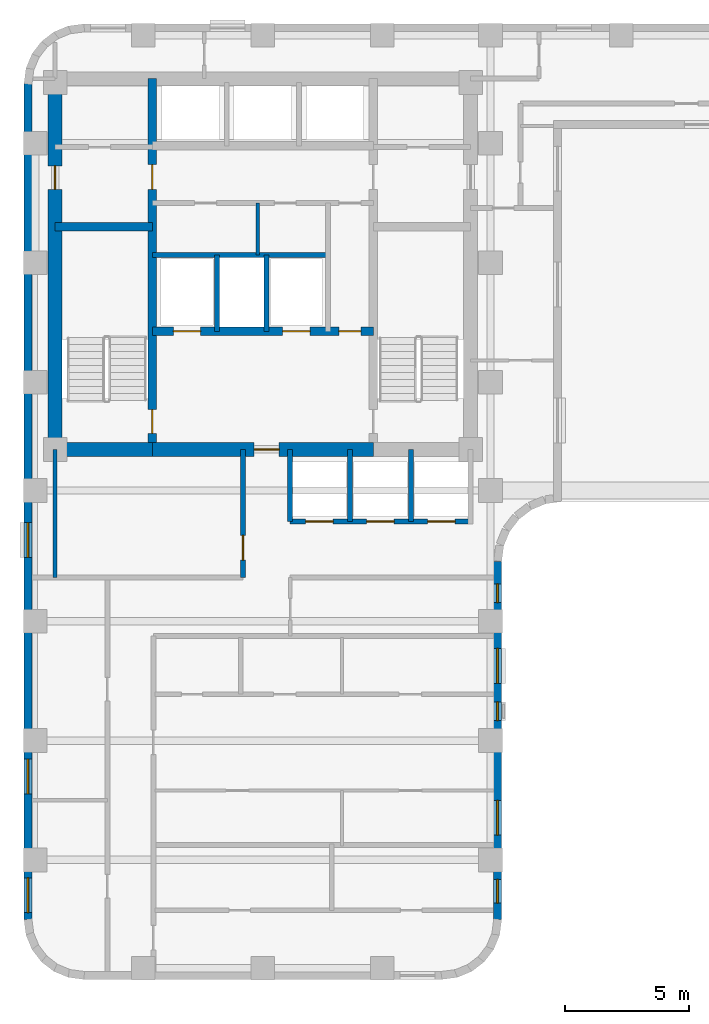
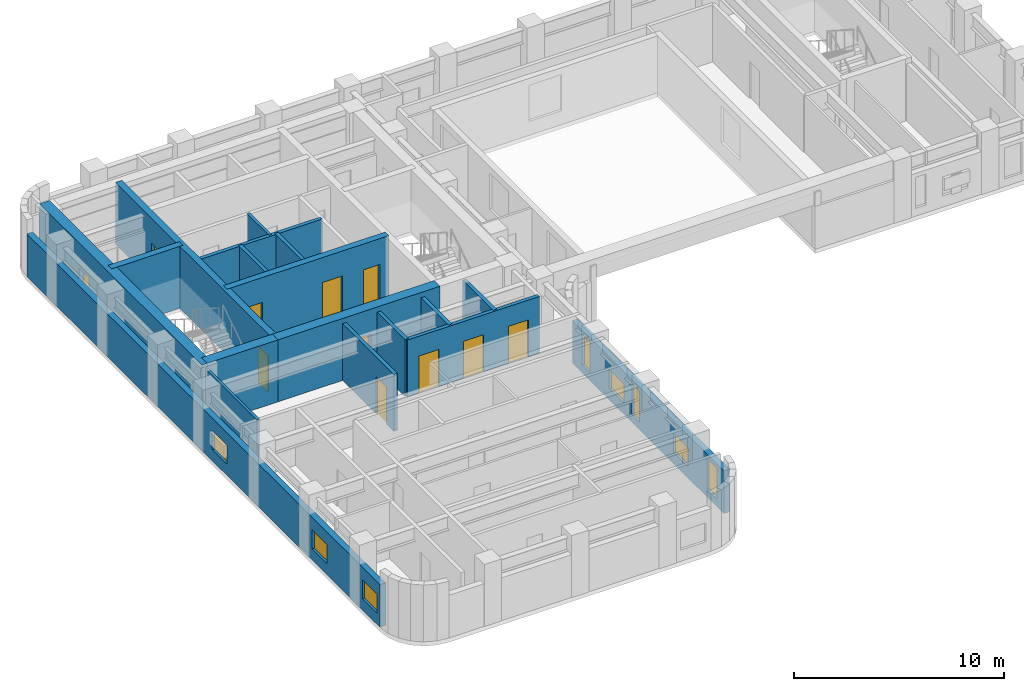
# One storey, part 3 of 9: 18 walls, 11 doors, 8 windows, 19 openings.
"""IFC4 building model written with IfcOpenShell, lengths in metres."""

import ifcopenshell
import ifcopenshell.guid

model = None  # the IFC model being written
_history = None  # IfcOwnerHistory: only IFC2X3 demands one
_inside = {}  # id of a spatial element -> (the spatial element, [elements in it])
_under = {}  # id of a project, library or spatial element -> (it, [spatial elements below it])
_declared = {}  # id of a project -> (the project, [libraries it declares])
_typed = {}  # id of a type object -> (the type object, [elements of that type])
_made_of = {}  # id of a material, layer set ... -> (it, [elements and type objects made of it])


def new_model(schema):
    """Start an empty IFC model of exactly this schema.

    Asked for "IFC4X3", IfcOpenShell would pick the latest addendum, in which some entities
    have other attributes; the version numbers below select the first issue.
    IFC2X3 requires an IfcOwnerHistory on every rooted entity: one is made here for all.
    """
    global model, _history
    if schema == "IFC4X3":
        model = ifcopenshell.file(schema_version=(4, 3, 0, 0))
    else:
        model = ifcopenshell.file(schema=schema)
    _inside.clear()
    _under.clear()
    _declared.clear()
    _typed.clear()
    _made_of.clear()
    _history = None
    if model.schema == "IFC2X3":
        org = make("IfcOrganization", Name="unknown")
        user = make(
            "IfcPersonAndOrganization",
            ThePerson=make("IfcPerson", FamilyName="unknown"),
            TheOrganization=org,
        )
        app = make(
            "IfcApplication",
            ApplicationDeveloper=org,
            Version="unknown",
            ApplicationFullName="unknown",
            ApplicationIdentifier="unknown",
        )
        _history = make(
            "IfcOwnerHistory",
            OwningUser=user,
            OwningApplication=app,
            ChangeAction="ADDED",
            CreationDate=0,
        )
    return model


def make(cls, **values):
    """One entity of the class cls with the attributes given. An attribute that is None is left unset."""
    return model.create_entity(
        cls, **{name: value for name, value in values.items() if value is not None}
    )


def rooted(cls, **values):
    """An entity with a GlobalId (a new one), such as an element, a storey or a relation."""
    return make(cls, GlobalId=ifcopenshell.guid.new(), OwnerHistory=_history, **values)


def si_unit(unit_type, name, prefix=None):
    """IfcSIUnit, for example si_unit("LENGTHUNIT", "METRE", prefix="MILLI")."""
    return make("IfcSIUnit", UnitType=unit_type, Prefix=prefix, Name=name)


def assignment(units):
    """IfcUnitAssignment: the units of a project."""
    return None if units is None else make("IfcUnitAssignment", Units=units)


def point(xyz):
    """IfcCartesianPoint."""
    return None if xyz is None else make("IfcCartesianPoint", Coordinates=xyz)


def direction(xyz):
    """IfcDirection."""
    return None if xyz is None else make("IfcDirection", DirectionRatios=xyz)


def frame(location, z_axis=None, x_axis=None):
    """IfcAxis2Placement3D, a coordinate frame: its origin and axes. An axis left out is left unset."""
    return make(
        "IfcAxis2Placement3D",
        Location=point(location),
        Axis=direction(z_axis),
        RefDirection=direction(x_axis),
    )


def frame_2d(location, x_axis=None):
    """IfcAxis2Placement2D, a coordinate frame in the plane: its origin and x axis."""
    return make(
        "IfcAxis2Placement2D", Location=point(location), RefDirection=direction(x_axis)
    )


def origin():
    """The frame at (0, 0, 0) with its axes left unset."""
    return frame((0.0, 0.0, 0.0))


def place(relative_to, where):
    """IfcLocalPlacement: puts the frame where relative to a parent placement (None: the world)."""
    return make(
        "IfcLocalPlacement", PlacementRelTo=relative_to, RelativePlacement=where
    )


def context(
    kind, dimensions, precision=None, world=None, true_north=None, identifier=None
):
    """IfcGeometricRepresentationContext, for example the 3D "Model" context."""
    return make(
        "IfcGeometricRepresentationContext",
        ContextIdentifier=identifier,
        ContextType=kind,
        CoordinateSpaceDimension=dimensions,
        Precision=precision,
        WorldCoordinateSystem=world,
        TrueNorth=true_north,
    )


def subcontext(parent, identifier, kind, view, scale=None):
    """IfcGeometricRepresentationSubContext, for example "Body" below "Model"."""
    return make(
        "IfcGeometricRepresentationSubContext",
        ContextIdentifier=identifier,
        ContextType=kind,
        ParentContext=parent,
        TargetScale=scale,
        TargetView=view,
    )


def project(units=None, contexts=None):
    """IfcProject with its units and contexts."""
    return rooted(
        "IfcProject",
        Name="project",
        RepresentationContexts=contexts,
        UnitsInContext=assignment(units),
    )


def spatial(cls, under=None, at=None, **own):
    """A site, building, storey or space (cls), placed at a placement, below another one or the project."""
    s = rooted(cls, ObjectPlacement=at, **own)
    if under is not None:
        _under.setdefault(under.id(), (under, []))[1].append(s)
    return s


def profile(cls, at=None, kind="AREA", **sizes):
    """A parametric profile (cls). Its sizes go by their IFC names, for example OverallWidth=200.0."""
    return make(cls, ProfileType=kind, Position=at, **sizes)


def rectangle(**sizes):
    """IfcRectangleProfileDef."""
    return profile("IfcRectangleProfileDef", **sizes)


def extrude(swept, where, along, depth):
    """IfcExtrudedAreaSolid: the profile swept, set in the frame where, extruded along a direction by depth."""
    return make(
        "IfcExtrudedAreaSolid",
        SweptArea=swept,
        Position=where,
        ExtrudedDirection=direction(along),
        Depth=depth,
    )


def shape(context_of_items, identifier, shape_type, items):
    """IfcShapeRepresentation: the items that make up one representation, for example the "Body"."""
    return make(
        "IfcShapeRepresentation",
        ContextOfItems=context_of_items,
        RepresentationIdentifier=identifier,
        RepresentationType=shape_type,
        Items=items,
    )


def material(Name=None, Category=None):
    """IfcMaterial."""
    return make("IfcMaterial", Name=Name, Category=Category)


def layer(
    of_material, thickness, ventilated=None, Name=None, Category=None, Priority=None
):
    """IfcMaterialLayer: one layer of a wall or slab, of a material (None: an air gap)."""
    return make(
        "IfcMaterialLayer",
        Material=of_material,
        LayerThickness=thickness,
        IsVentilated=ventilated,
        Name=Name,
        Category=Category,
        Priority=Priority,
    )


def layer_set(layers, Name=None):
    """IfcMaterialLayerSet."""
    return make("IfcMaterialLayerSet", MaterialLayers=layers, LayerSetName=Name)


def made_of(thing, what):
    """Note that an element or type object is made of a material, layer set ...; save() writes the relation."""
    if what is not None:
        _made_of.setdefault(what.id(), (what, []))[1].append(thing)
    return thing


def type_object(cls, material=None, **own):
    """A type object (cls), such as IfcWallType, which elements share."""
    return made_of(rooted(cls, **own), material)


def element(
    cls,
    number,
    at=None,
    inside=None,
    cuts=None,
    type_object=None,
    material=None,
    context=None,
    identifier="Body",
    shape_type=None,
    held_by="IfcProductDefinitionShape",
    body=None,
    shapes=None,
    **own,
):
    """One element of the class cls, such as IfcWall. Its Tag is "e" and its number.

    at: its placement. inside: the storey or other place that contains it. cuts: it is an
    opening in that element (IfcRelVoidsElement). A single representation is given by context,
    identifier, shape_type and body (its items); several are given by shapes. held_by: the class
    of the entity that holds the representations. save() writes the other relations.
    """
    e = rooted(cls, Tag="e%d" % number, ObjectPlacement=at, **own)
    if body is not None:
        shapes = [shape(context, identifier, shape_type, body)]
    if shapes is not None:
        e.Representation = make(held_by, Representations=shapes)
    if inside is not None:
        _inside.setdefault(inside.id(), (inside, []))[1].append(e)
    if cuts is not None:
        rooted(
            "IfcRelVoidsElement", RelatingBuildingElement=cuts, RelatedOpeningElement=e
        )
    if type_object is not None:
        _typed.setdefault(type_object.id(), (type_object, []))[1].append(e)
    return made_of(e, material)


def fill(opening, filler):
    """IfcRelFillsElement: the door or window that sits in an opening."""
    return rooted(
        "IfcRelFillsElement",
        RelatingOpeningElement=opening,
        RelatedBuildingElement=filler,
    )


def aggregate(whole, parts):
    """IfcRelAggregates: a whole, such as a stair, and the parts it consists of."""
    return rooted("IfcRelAggregates", RelatingObject=whole, RelatedObjects=parts)


def save(model, path):
    """Write the relations noted so far, then the file.

    IfcRelAggregates (storeys below a building ...), IfcRelContainedInSpatialStructure (elements
    in a storey), IfcRelDefinesByType, IfcRelAssociatesMaterial and IfcRelDeclares: one each for
    every whole, place, type object, material and project.
    """
    for whole, parts in _under.values():
        aggregate(whole, parts)
    for where, things in _inside.values():
        rooted(
            "IfcRelContainedInSpatialStructure",
            RelatedElements=things,
            RelatingStructure=where,
        )
    for kind, things in _typed.values():
        rooted("IfcRelDefinesByType", RelatedObjects=things, RelatingType=kind)
    for what, things in _made_of.values():
        rooted("IfcRelAssociatesMaterial", RelatedObjects=things, RelatingMaterial=what)
    for by, libraries in _declared.values():
        rooted("IfcRelDeclares", RelatingContext=by, RelatedDefinitions=libraries)
    model.write(path)


model = new_model("IFC4")

# Units and contexts
model_context = context("Model", 3, precision=1e-05, world=origin(), true_north=direction((0.0, 1.0)))
body_context = subcontext(model_context, "Body", "Model", "MODEL_VIEW")
ifc_project = project(units=[si_unit("LENGTHUNIT", "METRE"), si_unit("AREAUNIT", "SQUARE_METRE"), si_unit("VOLUMEUNIT", "CUBIC_METRE"), si_unit("PLANEANGLEUNIT", "RADIAN"), si_unit("MASSUNIT", "GRAM", prefix="KILO")], contexts=[model_context])

# Site, building, storey
site_placement = place(None, origin())
site = spatial("IfcSite", under=ifc_project, at=site_placement, CompositionType="ELEMENT")
building_placement = place(site_placement, origin())
building = spatial("IfcBuilding", under=site, at=building_placement, Name="Orvandelia Arch Residences", CompositionType="ELEMENT")
storey_placement = place(building_placement, frame((0.0, 0.0, 190.0)))
storey = spatial("IfcBuildingStorey", under=building, at=storey_placement, Name="L50", CompositionType="ELEMENT", Elevation=190.0)

# Wall, openings, doors
ifc_material_1 = material(Name="Concrete C50/60", Category="concrete")
ifc_layer_1 = layer(ifc_material_1, 0.35009765625, Name="Concrete C50/60", Category="concrete")
ifc_layer_set_1 = layer_set([ifc_layer_1], Name="Concrete C50/60")
wall_type_1 = type_object("IfcWallType", Name="WL-CORE-350", PredefinedType="SHEAR", material=ifc_layer_set_1)
wall_1_placement = place(storey_placement, frame((9.9599609375, 30.89990234375, 0.0), z_axis=(0.0, 0.0, 1.0), x_axis=(0.0, 1.0, 0.0)))
wall_1 = element("IfcWall", 1, at=wall_1_placement, inside=storey, type_object=wall_type_1, Name="Core Shear Wall L50-WEB1", PredefinedType="SHEAR", context=body_context, shape_type="SweptSolid", body=[
    extrude(rectangle(XDim=14.900146484375, YDim=0.35009765625, at=frame_2d((7.4501953125, 0.0))), origin(), (0.0, 0.0, 1.0), 3.60009765625),
])
opening_1_placement = place(wall_1_placement, frame((0.64990234375, 0.0, 0.0)))
opening_1 = element("IfcOpeningElement", 2, at=opening_1_placement, cuts=wall_1, Name="Opening D7", PredefinedType="OPENING", context=body_context, shape_type="SweptSolid", body=[
    extrude(rectangle(XDim=0.949951171875, YDim=2.10009765625, at=frame_2d((0.47509765625, 1.050048828125))), frame((0.0, 0.18505859375, 0.0), z_axis=(0.0, -1.0, 0.0), x_axis=(1.0, 0.0, 0.0)), (0.0, 0.0, 1.0), 0.3701171875),
])
opening_2_placement = place(wall_1_placement, frame((10.449951171875, 0.0, 0.0)))
opening_2 = element("IfcOpeningElement", 3, at=opening_2_placement, cuts=wall_1, Name="Opening D6", PredefinedType="OPENING", context=body_context, shape_type="SweptSolid", body=[
    extrude(rectangle(XDim=1.0, YDim=2.14990234375, at=frame_2d((0.5, 1.074951171875))), frame((0.0, 0.18505859375, 0.0), z_axis=(0.0, -1.0, 0.0), x_axis=(1.0, 0.0, 0.0)), (0.0, 0.0, 1.0), 0.3701171875),
])
ifc_material_2 = material(Name="Smokeproof Painted Steel Fire Door", Category="steel")
door_type_1 = type_object("IfcDoorType", Name="DR-FD60-1000", OperationType="NOTDEFINED", PredefinedType="DOOR", material=ifc_material_2)
door_1_placement = place(opening_2_placement, origin())
door_1 = element("IfcDoor", 4, at=door_1_placement, inside=storey, type_object=door_type_1, Name="High-Rise Lift Hall West Vestibule Door L50", OperationType="SINGLE_SWING_LEFT", OverallHeight=2.14990234375, OverallWidth=1.0, PredefinedType="DOOR", context=body_context, shape_type="SweptSolid", body=[
    extrude(rectangle(XDim=1.0, YDim=2.14990234375, at=frame_2d((0.5, 1.074951171875))), frame((0.0, 0.02490234375, 0.0), z_axis=(0.0, -1.0, 0.0), x_axis=(1.0, 0.0, 0.0)), (0.0, 0.0, 1.0), 0.050048828125),
])
fill(opening_2, door_1)
ifc_material_3 = material(Name="Pressurised Stairwell Fire Door")
door_type_2 = type_object("IfcDoorType", Name="DR-STAIR-950", OperationType="NOTDEFINED", PredefinedType="DOOR", material=ifc_material_3)
door_2_placement = place(opening_1_placement, origin())
door_2 = element("IfcDoor", 5, at=door_2_placement, inside=storey, type_object=door_type_2, Name="Stairwell ST-1 Fire Door L50", OperationType="SINGLE_SWING_LEFT", OverallHeight=2.10009765625, OverallWidth=0.949951171875, PredefinedType="DOOR", context=body_context, shape_type="SweptSolid", body=[
    extrude(rectangle(XDim=0.949951171875, YDim=2.10009765625, at=frame_2d((0.47509765625, 1.050048828125))), frame((0.0, 0.02490234375, 0.0), z_axis=(0.0, -1.0, 0.0), x_axis=(1.0, 0.0, 0.0)), (0.0, 0.0, 1.0), 0.050048828125),
])
fill(opening_1, door_2)

# Wall
wall_2_placement = place(storey_placement, frame((6.050048828125, 39.85009765625, 0.0), z_axis=(0.0, 0.0, 1.0), x_axis=(1.0, 0.0, 0.0)))
element("IfcWall", 6, at=wall_2_placement, inside=storey, type_object=wall_type_1, Name="Core Shear Wall L50-HZ1", PredefinedType="SHEAR", context=body_context, shape_type="SweptSolid", body=[
    extrude(rectangle(XDim=3.909912109375, YDim=0.35009765625, at=frame_2d((1.955078125, 0.0))), origin(), (0.0, 0.0, 1.0), 3.60009765625),
])

# Wall, openings, doors
wall_3_placement = place(storey_placement, frame((9.9599609375, 35.64990234375, 0.0), z_axis=(0.0, 0.0, 1.0), x_axis=(1.0, 0.0, 0.0)))
wall_3 = element("IfcWall", 7, at=wall_3_placement, inside=storey, type_object=wall_type_1, Name="Core Shear Wall L50-HZ3", PredefinedType="SHEAR", context=body_context, shape_type="SweptSolid", body=[
    extrude(rectangle(XDim=8.880126953125, YDim=0.35009765625, at=frame_2d((4.43994140625, 0.0))), origin(), (0.0, 0.0, 1.0), 3.60009765625),
])
opening_3_placement = place(wall_3_placement, frame((0.840087890625, 0.0, 0.0)))
opening_3 = element("IfcOpeningElement", 8, at=opening_3_placement, cuts=wall_3, Name="Opening FLD", PredefinedType="OPENING", context=body_context, shape_type="SweptSolid", body=[
    extrude(rectangle(XDim=1.10009765625, YDim=2.14990234375, at=frame_2d((0.550048828125, 1.074951171875))), frame((0.0, 0.18505859375, 0.0), z_axis=(0.0, -1.0, 0.0), x_axis=(1.0, 0.0, 0.0)), (0.0, 0.0, 1.0), 0.3701171875),
])
opening_4_placement = place(wall_3_placement, frame((5.239990234375, 0.0, 0.0)))
opening_4 = element("IfcOpeningElement", 9, at=opening_4_placement, cuts=wall_3, Name="Opening FLD", PredefinedType="OPENING", context=body_context, shape_type="SweptSolid", body=[
    extrude(rectangle(XDim=1.10009765625, YDim=2.14990234375, at=frame_2d((0.550048828125, 1.074951171875))), frame((0.0, 0.18505859375, 0.0), z_axis=(0.0, -1.0, 0.0), x_axis=(1.0, 0.0, 0.0)), (0.0, 0.0, 1.0), 0.3701171875),
])
opening_5_placement = place(wall_3_placement, frame((7.5, 0.0, 0.0)))
opening_5 = element("IfcOpeningElement", 10, at=opening_5_placement, cuts=wall_3, Name="Opening D5", PredefinedType="OPENING", context=body_context, shape_type="SweptSolid", body=[
    extrude(rectangle(XDim=0.8798828125, YDim=2.10009765625, at=frame_2d((0.43994140625, 1.050048828125))), frame((0.0, 0.18505859375, 0.0), z_axis=(0.0, -1.0, 0.0), x_axis=(1.0, 0.0, 0.0)), (0.0, 0.0, 1.0), 0.3701171875),
])
ifc_material_4 = material(Name="Firefighting Lift Stainless Sliding Door")
door_type_3 = type_object("IfcDoorType", Name="DR-FLFT-1100", OperationType="NOTDEFINED", PredefinedType="DOOR", material=ifc_material_4)
door_3_placement = place(opening_3_placement, origin())
door_3 = element("IfcDoor", 11, at=door_3_placement, inside=storey, type_object=door_type_3, Name="Firefighting Lift Landing Door FLD-FL1-L50", OperationType="SLIDING_TO_LEFT", OverallHeight=2.14990234375, OverallWidth=1.10009765625, PredefinedType="DOOR", context=body_context, shape_type="SweptSolid", body=[
    extrude(rectangle(XDim=1.10009765625, YDim=2.14990234375, at=frame_2d((0.550048828125, 1.074951171875))), frame((0.0, 0.02490234375, 0.0), z_axis=(0.0, -1.0, 0.0), x_axis=(1.0, 0.0, 0.0)), (0.0, 0.0, 1.0), 0.050048828125),
])
fill(opening_3, door_3)
door_4_placement = place(opening_4_placement, origin())
door_4 = element("IfcDoor", 12, at=door_4_placement, inside=storey, type_object=door_type_3, Name="Firefighting Lift Landing Door FLD-FL2-L50", OperationType="SLIDING_TO_RIGHT", OverallHeight=2.14990234375, OverallWidth=1.10009765625, PredefinedType="DOOR", context=body_context, shape_type="SweptSolid", body=[
    extrude(rectangle(XDim=1.10009765625, YDim=2.14990234375, at=frame_2d((0.550048828125, 1.074951171875))), frame((0.0, 0.02490234375, 0.0), z_axis=(0.0, -1.0, 0.0), x_axis=(1.0, 0.0, 0.0)), (0.0, 0.0, 1.0), 0.050048828125),
])
fill(opening_4, door_4)
ifc_material_5 = material(Name="Painted Galvanised Steel Service Door", Category="steel")
door_type_4 = type_object("IfcDoorType", Name="DR-SRV-880", OperationType="NOTDEFINED", PredefinedType="DOOR", material=ifc_material_5)
door_5_placement = place(opening_5_placement, origin())
door_5 = element("IfcDoor", 13, at=door_5_placement, inside=storey, type_object=door_type_4, Name="Core Stairway Passage South Fire Door L50", OperationType="SINGLE_SWING_LEFT", OverallHeight=2.10009765625, OverallWidth=0.8798828125, PredefinedType="DOOR", context=body_context, shape_type="SweptSolid", body=[
    extrude(rectangle(XDim=0.8798828125, YDim=2.10009765625, at=frame_2d((0.43994140625, 1.050048828125))), frame((0.0, 0.02490234375, 0.0), z_axis=(0.0, -1.0, 0.0), x_axis=(1.0, 0.0, 0.0)), (0.0, 0.0, 1.0), 0.050048828125),
])
fill(opening_5, door_5)

# Wall, opening, door
ifc_material_6 = material(Name="Concrete C60/75", Category="concrete")
ifc_layer_2 = layer(ifc_material_6, 0.550048828125, Name="Concrete C60/75", Category="concrete")
ifc_layer_set_2 = layer_set([ifc_layer_2], Name="Concrete C60/75")
wall_type_2 = type_object("IfcWallType", Name="WL-CORE-550", PredefinedType="SHEAR", material=ifc_layer_set_2)
wall_4_placement = place(storey_placement, frame((6.050048828125, 30.625, 0.0), z_axis=(0.0, 0.0, 1.0), x_axis=(0.0, 1.0, 0.0)))
wall_4 = element("IfcWall", 14, at=wall_4_placement, inside=storey, type_object=wall_type_2, Name="Core Shear Wall L50-W", PredefinedType="SHEAR", context=body_context, shape_type="SweptSolid", body=[
    extrude(rectangle(XDim=15.449951171875, YDim=0.550048828125, at=frame_2d((7.72509765625, 0.0))), origin(), (0.0, 0.0, 1.0), 3.60009765625),
])
opening_6_placement = place(wall_4_placement, frame((10.72509765625, 0.0, 0.0)))
opening_6 = element("IfcOpeningElement", 15, at=opening_6_placement, cuts=wall_4, Name="Opening D2", PredefinedType="OPENING", context=body_context, shape_type="SweptSolid", body=[
    extrude(rectangle(XDim=0.949951171875, YDim=2.14990234375, at=frame_2d((0.47509765625, 1.074951171875))), frame((0.0, 0.28515625, 0.0), z_axis=(0.0, -1.0, 0.0), x_axis=(1.0, 0.0, 0.0)), (0.0, 0.0, 1.0), 0.570068359375),
])
ifc_material_7 = material(Name="Solid-Core Timber Interior Fire Door", Category="wood")
door_type_5 = type_object("IfcDoorType", Name="DR-APT-950", OperationType="NOTDEFINED", PredefinedType="DOOR", material=ifc_material_7)
door_6_placement = place(opening_6_placement, origin())
door_6 = element("IfcDoor", 16, at=door_6_placement, inside=storey, type_object=door_type_5, Name="West Viewing Study Door L50", OperationType="SINGLE_SWING_RIGHT", OverallHeight=2.14990234375, OverallWidth=0.949951171875, PredefinedType="DOOR", context=body_context, shape_type="SweptSolid", body=[
    extrude(rectangle(XDim=0.949951171875, YDim=2.14990234375, at=frame_2d((0.47509765625, 1.074951171875))), frame((0.0, 0.02490234375, 0.0), z_axis=(0.0, -1.0, 0.0), x_axis=(1.0, 0.0, 0.0)), (0.0, 0.0, 1.0), 0.050048828125),
])
fill(opening_6, door_6)

# Wall
wall_5_placement = place(storey_placement, frame((6.050048828125, 30.89990234375, 0.0), z_axis=(0.0, 0.0, 1.0), x_axis=(1.0, 0.0, 0.0)))
element("IfcWall", 17, at=wall_5_placement, inside=storey, type_object=wall_type_2, Name="Core Shear Wall L50-SW", PredefinedType="SHEAR", context=body_context, shape_type="SweptSolid", body=[
    extrude(rectangle(XDim=3.909912109375, YDim=0.550048828125, at=frame_2d((1.955078125, 0.0))), origin(), (0.0, 0.0, 1.0), 3.60009765625),
])

# Wall, opening, door
wall_6_placement = place(storey_placement, frame((9.9599609375, 30.89990234375, 0.0), z_axis=(0.0, 0.0, 1.0), x_axis=(1.0, 0.0, 0.0)))
wall_6 = element("IfcWall", 18, at=wall_6_placement, inside=storey, type_object=wall_type_2, Name="Core Shear Wall L50-SM", PredefinedType="SHEAR", context=body_context, shape_type="SweptSolid", body=[
    extrude(rectangle(XDim=8.880126953125, YDim=0.550048828125, at=frame_2d((4.43994140625, 0.0))), origin(), (0.0, 0.0, 1.0), 3.60009765625),
])
opening_7_placement = place(wall_6_placement, frame((4.090087890625, 0.0, 0.0)))
opening_7 = element("IfcOpeningElement", 19, at=opening_7_placement, cuts=wall_6, Name="Opening D6", PredefinedType="OPENING", context=body_context, shape_type="SweptSolid", body=[
    extrude(rectangle(XDim=1.0, YDim=2.14990234375, at=frame_2d((0.5, 1.074951171875))), frame((0.0, 0.28515625, 0.0), z_axis=(0.0, -1.0, 0.0), x_axis=(1.0, 0.0, 0.0)), (0.0, 0.0, 1.0), 0.570068359375),
])
door_7_placement = place(opening_7_placement, origin())
door_7 = element("IfcDoor", 20, at=door_7_placement, inside=storey, type_object=door_type_1, Name="Firefighting Lobby Smokeproof Door L50", OperationType="SINGLE_SWING_LEFT", OverallHeight=2.14990234375, OverallWidth=1.0, PredefinedType="DOOR", context=body_context, shape_type="SweptSolid", body=[
    extrude(rectangle(XDim=1.0, YDim=2.14990234375, at=frame_2d((0.5, 1.074951171875))), frame((0.0, 0.02490234375, 0.0), z_axis=(0.0, -1.0, 0.0), x_axis=(1.0, 0.0, 0.0)), (0.0, 0.0, 1.0), 0.050048828125),
])
fill(opening_7, door_7)

# Wall, openings, windows
ifc_material_8 = material(Name="Precast concrete C40/50", Category="concrete")
ifc_layer_3 = layer(ifc_material_8, 0.320068359375, Name="Precast concrete C40/50", Category="concrete")
ifc_layer_set_3 = layer_set([ifc_layer_3], Name="Precast concrete C40/50")
wall_type_3 = type_object("IfcWallType", Name="WL-EXT-STONE-320", PredefinedType="STANDARD", material=ifc_layer_set_3)
wall_7_placement = place(storey_placement, frame((23.840087890625, 26.39990234375, 0.0), z_axis=(0.0, 0.0, 1.0), x_axis=(0.0, -1.0, 0.0)))
wall_7 = element("IfcWall", 21, at=wall_7_placement, inside=storey, type_object=wall_type_3, Name="Coral-Limestone Precast Facade Wall L50-031", PredefinedType="STANDARD", context=body_context, shape_type="SweptSolid", body=[
    extrude(rectangle(XDim=14.39990234375, YDim=0.320068359375, at=frame_2d((7.199951171875, 0.0))), origin(), (0.0, 0.0, 1.0), 2.47998046875),
])
opening_8_placement = place(wall_7_placement, frame((3.5, 0.0, 0.64990234375)))
opening_8 = element("IfcOpeningElement", 22, at=opening_8_placement, cuts=wall_7, Name="Opening W10", PredefinedType="OPENING", context=body_context, shape_type="SweptSolid", body=[
    extrude(rectangle(XDim=1.39990234375, YDim=1.10009765625, at=frame_2d((0.699951171875, 0.550048828125))), frame((0.0, 0.169921875, 0.0), z_axis=(0.0, -1.0, 0.0), x_axis=(1.0, 0.0, 0.0)), (0.0, 0.0, 1.0), 0.340087890625),
])
opening_9_placement = place(wall_7_placement, frame((9.60400390625, 0.0, 0.64990234375)))
opening_9 = element("IfcOpeningElement", 23, at=opening_9_placement, cuts=wall_7, Name="Opening W10", PredefinedType="OPENING", context=body_context, shape_type="SweptSolid", body=[
    extrude(rectangle(XDim=1.39990234375, YDim=1.10009765625, at=frame_2d((0.699951171875, 0.550048828125))), frame((0.0, 0.169921875, 0.0), z_axis=(0.0, -1.0, 0.0), x_axis=(1.0, 0.0, 0.0)), (0.0, 0.0, 1.0), 0.340087890625),
])
opening_10_placement = place(wall_7_placement, frame((12.784423828125, 0.0, 0.449951171875)))
opening_10 = element("IfcOpeningElement", 24, at=opening_10_placement, cuts=wall_7, Name="Opening W4", PredefinedType="OPENING", context=body_context, shape_type="SweptSolid", body=[
    extrude(rectangle(XDim=0.949951171875, YDim=1.800048828125, at=frame_2d((0.47509765625, 0.89990234375))), frame((0.0, 0.169921875, 0.0), z_axis=(0.0, -1.0, 0.0), x_axis=(1.0, 0.0, 0.0)), (0.0, 0.0, 1.0), 0.340087890625),
])
opening_11_placement = place(wall_7_placement, frame((5.6474609375, 0.0, 0.449951171875)))
opening_11 = element("IfcOpeningElement", 25, at=opening_11_placement, cuts=wall_7, Name="Opening W11", PredefinedType="OPENING", context=body_context, shape_type="SweptSolid", body=[
    extrude(rectangle(XDim=0.75, YDim=1.800048828125, at=frame_2d((0.375, 0.89990234375))), frame((0.0, 0.169921875, 0.0), z_axis=(0.0, -1.0, 0.0), x_axis=(1.0, 0.0, 0.0)), (0.0, 0.0, 1.0), 0.340087890625),
])
opening_12_placement = place(wall_7_placement, frame((0.907470703125, 0.0, 0.449951171875)))
opening_12 = element("IfcOpeningElement", 26, at=opening_12_placement, cuts=wall_7, Name="Opening W11", PredefinedType="OPENING", context=body_context, shape_type="SweptSolid", body=[
    extrude(rectangle(XDim=0.75, YDim=1.800048828125, at=frame_2d((0.375, 0.89990234375))), frame((0.0, 0.169921875, 0.0), z_axis=(0.0, -1.0, 0.0), x_axis=(1.0, 0.0, 0.0)), (0.0, 0.0, 1.0), 0.340087890625),
])
ifc_material_9 = material(Name="Tempered Low-E Insulated Glazing", Category="glass")
window_type_1 = type_object("IfcWindowType", Name="WIN-BED-0750x1800", PartitioningType="SINGLE_PANEL", PredefinedType="WINDOW", material=ifc_material_9)
window_1_placement = place(opening_11_placement, origin())
window_1 = element("IfcWindow", 27, at=window_1_placement, inside=storey, type_object=window_type_1, Name="Recessed Punched Window L50-018", OverallHeight=1.800048828125, OverallWidth=0.75, PartitioningType="SINGLE_PANEL", PredefinedType="WINDOW", context=body_context, shape_type="SweptSolid", body=[
    extrude(rectangle(XDim=0.75, YDim=1.800048828125, at=frame_2d((0.375, 0.89990234375))), frame((0.0, 0.030029296875, 0.0), z_axis=(0.0, -1.0, 0.0), x_axis=(1.0, 0.0, 0.0)), (0.0, 0.0, 1.0), 0.06005859375),
])
fill(opening_11, window_1)
window_2_placement = place(opening_12_placement, origin())
window_2 = element("IfcWindow", 28, at=window_2_placement, inside=storey, type_object=window_type_1, Name="Recessed Punched Window L50-019", OverallHeight=1.800048828125, OverallWidth=0.75, PartitioningType="SINGLE_PANEL", PredefinedType="WINDOW", context=body_context, shape_type="SweptSolid", body=[
    extrude(rectangle(XDim=0.75, YDim=1.800048828125, at=frame_2d((0.375, 0.89990234375))), frame((0.0, 0.030029296875, 0.0), z_axis=(0.0, -1.0, 0.0), x_axis=(1.0, 0.0, 0.0)), (0.0, 0.0, 1.0), 0.06005859375),
])
fill(opening_12, window_2)
window_type_2 = type_object("IfcWindowType", Name="WIN-CLR-1400x1100", PartitioningType="SINGLE_PANEL", PredefinedType="WINDOW", material=ifc_material_9)
window_3_placement = place(opening_8_placement, origin())
window_3 = element("IfcWindow", 29, at=window_3_placement, inside=storey, type_object=window_type_2, Name="Recessed Punched Window L50-015", OverallHeight=1.10009765625, OverallWidth=1.39990234375, PartitioningType="SINGLE_PANEL", PredefinedType="WINDOW", context=body_context, shape_type="SweptSolid", body=[
    extrude(rectangle(XDim=1.39990234375, YDim=1.10009765625, at=frame_2d((0.699951171875, 0.550048828125))), frame((0.0, 0.030029296875, 0.0), z_axis=(0.0, -1.0, 0.0), x_axis=(1.0, 0.0, 0.0)), (0.0, 0.0, 1.0), 0.06005859375),
])
fill(opening_8, window_3)
window_4_placement = place(opening_9_placement, origin())
window_4 = element("IfcWindow", 30, at=window_4_placement, inside=storey, type_object=window_type_2, Name="Recessed Punched Window L50-016", OverallHeight=1.10009765625, OverallWidth=1.39990234375, PartitioningType="SINGLE_PANEL", PredefinedType="WINDOW", context=body_context, shape_type="SweptSolid", body=[
    extrude(rectangle(XDim=1.39990234375, YDim=1.10009765625, at=frame_2d((0.699951171875, 0.550048828125))), frame((0.0, 0.030029296875, 0.0), z_axis=(0.0, -1.0, 0.0), x_axis=(1.0, 0.0, 0.0)), (0.0, 0.0, 1.0), 0.06005859375),
])
fill(opening_9, window_4)
window_type_3 = type_object("IfcWindowType", Name="WIN-RES-0950x1800", PartitioningType="SINGLE_PANEL", PredefinedType="WINDOW", material=ifc_material_9)
window_5_placement = place(opening_10_placement, origin())
window_5 = element("IfcWindow", 31, at=window_5_placement, inside=storey, type_object=window_type_3, Name="Recessed Punched Window L50-017", OverallHeight=1.800048828125, OverallWidth=0.949951171875, PartitioningType="SINGLE_PANEL", PredefinedType="WINDOW", context=body_context, shape_type="SweptSolid", body=[
    extrude(rectangle(XDim=0.949951171875, YDim=1.800048828125, at=frame_2d((0.47509765625, 0.89990234375))), frame((0.0, 0.030029296875, 0.0), z_axis=(0.0, -1.0, 0.0), x_axis=(1.0, 0.0, 0.0)), (0.0, 0.0, 1.0), 0.06005859375),
])
fill(opening_10, window_5)

wall_8_placement = place(storey_placement, frame((4.9599609375, 12.0, 0.0), z_axis=(0.0, 0.0, 1.0), x_axis=(0.0, 1.0, 0.0)))
wall_8 = element("IfcWall", 32, at=wall_8_placement, inside=storey, type_object=wall_type_3, Name="Coral-Limestone Precast Facade Wall L50-045", PredefinedType="STANDARD", context=body_context, shape_type="SweptSolid", body=[
    extrude(rectangle(XDim=33.60009765625, YDim=0.320068359375, at=frame_2d((16.800048828125, 0.0))), origin(), (0.0, 0.0, 1.0), 2.47998046875),
])
opening_13_placement = place(wall_8_placement, frame((14.5576171875, 0.0, 0.64990234375)))
opening_13 = element("IfcOpeningElement", 33, at=opening_13_placement, cuts=wall_8, Name="Opening W10", PredefinedType="OPENING", context=body_context, shape_type="SweptSolid", body=[
    extrude(rectangle(XDim=1.39990234375, YDim=1.10009765625, at=frame_2d((0.699951171875, 0.550048828125))), frame((0.0, 0.169921875, 0.0), z_axis=(0.0, -1.0, 0.0), x_axis=(1.0, 0.0, 0.0)), (0.0, 0.0, 1.0), 0.340087890625),
])
opening_14_placement = place(wall_8_placement, frame((0.282470703125, 0.0, 0.64990234375)))
opening_14 = element("IfcOpeningElement", 34, at=opening_14_placement, cuts=wall_8, Name="Opening W10", PredefinedType="OPENING", context=body_context, shape_type="SweptSolid", body=[
    extrude(rectangle(XDim=1.39990234375, YDim=1.10009765625, at=frame_2d((0.699951171875, 0.550048828125))), frame((0.0, 0.169921875, 0.0), z_axis=(0.0, -1.0, 0.0), x_axis=(1.0, 0.0, 0.0)), (0.0, 0.0, 1.0), 0.340087890625),
])
opening_15_placement = place(wall_8_placement, frame((5.052490234375, 0.0, 0.64990234375)))
opening_15 = element("IfcOpeningElement", 35, at=opening_15_placement, cuts=wall_8, Name="Opening W10", PredefinedType="OPENING", context=body_context, shape_type="SweptSolid", body=[
    extrude(rectangle(XDim=1.39990234375, YDim=1.10009765625, at=frame_2d((0.699951171875, 0.550048828125))), frame((0.0, 0.169921875, 0.0), z_axis=(0.0, -1.0, 0.0), x_axis=(1.0, 0.0, 0.0)), (0.0, 0.0, 1.0), 0.340087890625),
])
window_6_placement = place(opening_13_placement, origin())
window_6 = element("IfcWindow", 36, at=window_6_placement, inside=storey, type_object=window_type_2, Name="Recessed Punched Window L50-021", OverallHeight=1.10009765625, OverallWidth=1.39990234375, PartitioningType="SINGLE_PANEL", PredefinedType="WINDOW", context=body_context, shape_type="SweptSolid", body=[
    extrude(rectangle(XDim=1.39990234375, YDim=1.10009765625, at=frame_2d((0.699951171875, 0.550048828125))), frame((0.0, 0.030029296875, 0.0), z_axis=(0.0, -1.0, 0.0), x_axis=(1.0, 0.0, 0.0)), (0.0, 0.0, 1.0), 0.06005859375),
])
fill(opening_13, window_6)
window_7_placement = place(opening_14_placement, origin())
window_7 = element("IfcWindow", 37, at=window_7_placement, inside=storey, type_object=window_type_2, Name="Recessed Punched Window L50-022", OverallHeight=1.10009765625, OverallWidth=1.39990234375, PartitioningType="SINGLE_PANEL", PredefinedType="WINDOW", context=body_context, shape_type="SweptSolid", body=[
    extrude(rectangle(XDim=1.39990234375, YDim=1.10009765625, at=frame_2d((0.699951171875, 0.550048828125))), frame((0.0, 0.030029296875, 0.0), z_axis=(0.0, -1.0, 0.0), x_axis=(1.0, 0.0, 0.0)), (0.0, 0.0, 1.0), 0.06005859375),
])
fill(opening_14, window_7)
window_8_placement = place(opening_15_placement, origin())
window_8 = element("IfcWindow", 38, at=window_8_placement, inside=storey, type_object=window_type_2, Name="Recessed Punched Window L50-023", OverallHeight=1.10009765625, OverallWidth=1.39990234375, PartitioningType="SINGLE_PANEL", PredefinedType="WINDOW", context=body_context, shape_type="SweptSolid", body=[
    extrude(rectangle(XDim=1.39990234375, YDim=1.10009765625, at=frame_2d((0.699951171875, 0.550048828125))), frame((0.0, 0.030029296875, 0.0), z_axis=(0.0, -1.0, 0.0), x_axis=(1.0, 0.0, 0.0)), (0.0, 0.0, 1.0), 0.06005859375),
])
fill(opening_15, window_8)

# Walls
ifc_material_10 = material(Name="Acoustic Gypsum Stud Partition")
ifc_layer_4 = layer(ifc_material_10, 0.14990234375, Name="Acoustic Gypsum Stud Partition")
ifc_layer_set_4 = layer_set([ifc_layer_4], Name="Acoustic Gypsum Stud Partition")
wall_type_4 = type_object("IfcWallType", Name="WL-PART-150", PredefinedType="PARTITIONING", material=ifc_layer_set_4)
wall_9_placement = place(storey_placement, frame((14.199951171875, 38.719970703125, 0.0), z_axis=(0.0, 0.0, 1.0), x_axis=(0.0, 1.0, 0.0)))
element("IfcWall", 39, at=wall_9_placement, inside=storey, type_object=wall_type_4, Name="Interior Partition Wall WL-L50-CSA-1", PredefinedType="PARTITIONING", context=body_context, shape_type="SweptSolid", body=[
    extrude(rectangle(XDim=2.080078125, YDim=0.14990234375, at=frame_2d((1.0400390625, 0.0))), origin(), (0.0, 0.0, 1.0), 3.300048828125),
])
wall_10_placement = place(storey_placement, frame((6.050048828125, 25.75, 0.0), z_axis=(0.0, 0.0, 1.0), x_axis=(0.0, 1.0, 0.0)))
element("IfcWall", 40, at=wall_10_placement, inside=storey, type_object=wall_type_4, Name="Interior Partition Wall WL-L50-B1REUSE-W", PredefinedType="PARTITIONING", context=body_context, shape_type="SweptSolid", body=[
    extrude(rectangle(XDim=5.14990234375, YDim=0.14990234375, at=frame_2d((2.574951171875, 0.0))), origin(), (0.0, 0.0, 1.0), 3.300048828125),
])
ifc_material_11 = material(Name="Fire-Rated Shaft Enclosure Wall")
ifc_layer_5 = layer(ifc_material_11, 0.199951171875, Name="Fire-Rated Shaft Enclosure Wall")
ifc_layer_set_5 = layer_set([ifc_layer_5], Name="Fire-Rated Shaft Enclosure Wall")
wall_type_5 = type_object("IfcWallType", Name="WL-SHAFT-200", PredefinedType="POLYGONAL", material=ifc_layer_set_5)
wall_11_placement = place(storey_placement, frame((9.9599609375, 38.719970703125, 0.0), z_axis=(0.0, 0.0, 1.0), x_axis=(1.0, 0.0, 0.0)))
element("IfcWall", 41, at=wall_11_placement, inside=storey, type_object=wall_type_5, Name="Interior Partition Wall WL-L50-FLN", PredefinedType="POLYGONAL", context=body_context, shape_type="SweptSolid", body=[
    extrude(rectangle(XDim=7.06005859375, YDim=0.199951171875, at=frame_2d((3.530029296875, 0.0))), origin(), (0.0, 0.0, 1.0), 3.300048828125),
])
for number, where, z_axis, x_axis, name in (
    (42, (12.550048828125, 35.64990234375, 0.0), (0.0, 0.0, 1.0), (0.0, 1.0, 0.0), "Interior Partition Wall WL-L50-FLM1"),
    (43, (14.550048828125, 35.64990234375, 0.0), (0.0, 0.0, 1.0), (0.0, 1.0, 0.0), "Interior Partition Wall WL-L50-FLM2"),
):
    element("IfcWall", number, at=place(storey_placement, frame(where, z_axis=z_axis, x_axis=x_axis)), inside=storey, type_object=wall_type_5, Name=name, PredefinedType="POLYGONAL", context=body_context, shape_type="SweptSolid", body=[
        extrude(rectangle(XDim=3.070068359375, YDim=0.199951171875, at=frame_2d((1.53515625, 0.0))), origin(), (0.0, 0.0, 1.0), 3.300048828125),
    ])

# Wall, opening, door
wall_12_placement = place(storey_placement, frame((13.60009765625, 25.75, 0.0), z_axis=(0.0, 0.0, 1.0), x_axis=(0.0, 1.0, 0.0)))
wall_12 = element("IfcWall", 44, at=wall_12_placement, inside=storey, type_object=wall_type_5, Name="Interior Partition Wall WL-L50-B1REUSE-E", PredefinedType="POLYGONAL", context=body_context, shape_type="SweptSolid", body=[
    extrude(rectangle(XDim=5.14990234375, YDim=0.199951171875, at=frame_2d((2.574951171875, 0.0))), origin(), (0.0, 0.0, 1.0), 3.300048828125),
])
opening_16_placement = place(wall_12_placement, frame((0.699951171875, 0.0, 0.0)))
opening_16 = element("IfcOpeningElement", 45, at=opening_16_placement, cuts=wall_12, Name="Opening D6", PredefinedType="OPENING", context=body_context, shape_type="SweptSolid", body=[
    extrude(rectangle(XDim=1.0, YDim=2.14990234375, at=frame_2d((0.5, 1.074951171875))), frame((0.0, 0.10986328125, 0.0), z_axis=(0.0, -1.0, 0.0), x_axis=(1.0, 0.0, 0.0)), (0.0, 0.0, 1.0), 0.219970703125),
])
door_8_placement = place(opening_16_placement, origin())
door_8 = element("IfcDoor", 46, at=door_8_placement, inside=storey, type_object=door_type_1, Name="DR-L50-B1REUSE", OperationType="SINGLE_SWING_LEFT", OverallHeight=2.14990234375, OverallWidth=1.0, PredefinedType="DOOR", context=body_context, shape_type="SweptSolid", body=[
    extrude(rectangle(XDim=1.0, YDim=2.14990234375, at=frame_2d((0.5, 1.074951171875))), frame((0.0, 0.02490234375, 0.0), z_axis=(0.0, -1.0, 0.0), x_axis=(1.0, 0.0, 0.0)), (0.0, 0.0, 1.0), 0.050048828125),
])
fill(opening_16, door_8)

# Wall, openings, doors
wall_13_placement = place(storey_placement, frame((15.5, 28.0, 0.0), z_axis=(0.0, 0.0, 1.0), x_axis=(1.0, 0.0, 0.0)))
wall_13 = element("IfcWall", 47, at=wall_13_placement, inside=storey, type_object=wall_type_5, Name="Interior Partition Wall WL-L50-BNKM-S", PredefinedType="POLYGONAL", context=body_context, shape_type="SweptSolid", body=[
    extrude(rectangle(XDim=7.25, YDim=0.199951171875, at=frame_2d((3.625, 0.0))), origin(), (0.0, 0.0, 1.0), 3.300048828125),
])
opening_17_placement = place(wall_13_placement, frame((0.625, 0.0, 0.0)))
opening_17 = element("IfcOpeningElement", 48, at=opening_17_placement, cuts=wall_13, Name="Opening LD", PredefinedType="OPENING", context=body_context, shape_type="SweptSolid", body=[
    extrude(rectangle(XDim=1.10009765625, YDim=2.14990234375, at=frame_2d((0.550048828125, 1.074951171875))), frame((0.0, 0.10986328125, 0.0), z_axis=(0.0, -1.0, 0.0), x_axis=(1.0, 0.0, 0.0)), (0.0, 0.0, 1.0), 0.219970703125),
])
opening_18_placement = place(wall_13_placement, frame((3.074951171875, 0.0, 0.0)))
opening_18 = element("IfcOpeningElement", 49, at=opening_18_placement, cuts=wall_13, Name="Opening LD", PredefinedType="OPENING", context=body_context, shape_type="SweptSolid", body=[
    extrude(rectangle(XDim=1.10009765625, YDim=2.14990234375, at=frame_2d((0.550048828125, 1.074951171875))), frame((0.0, 0.10986328125, 0.0), z_axis=(0.0, -1.0, 0.0), x_axis=(1.0, 0.0, 0.0)), (0.0, 0.0, 1.0), 0.219970703125),
])
opening_19_placement = place(wall_13_placement, frame((5.52490234375, 0.0, 0.0)))
opening_19 = element("IfcOpeningElement", 50, at=opening_19_placement, cuts=wall_13, Name="Opening LD", PredefinedType="OPENING", context=body_context, shape_type="SweptSolid", body=[
    extrude(rectangle(XDim=1.10009765625, YDim=2.14990234375, at=frame_2d((0.550048828125, 1.074951171875))), frame((0.0, 0.10986328125, 0.0), z_axis=(0.0, -1.0, 0.0), x_axis=(1.0, 0.0, 0.0)), (0.0, 0.0, 1.0), 0.219970703125),
])
ifc_material_12 = material(Name="Brushed Stainless Steel Sliding Lift Door", Category="steel")
door_type_6 = type_object("IfcDoorType", Name="DR-LIFT-1100", OperationType="NOTDEFINED", PredefinedType="DOOR", material=ifc_material_12)
door_9_placement = place(opening_17_placement, origin())
door_9 = element("IfcDoor", 51, at=door_9_placement, inside=storey, type_object=door_type_6, Name="Lift Landing Door LD-PM1", OperationType="SLIDING_TO_LEFT", OverallHeight=2.14990234375, OverallWidth=1.10009765625, PredefinedType="DOOR", context=body_context, shape_type="SweptSolid", body=[
    extrude(rectangle(XDim=1.10009765625, YDim=2.14990234375, at=frame_2d((0.550048828125, 1.074951171875))), frame((0.0, 0.02490234375, 0.0), z_axis=(0.0, -1.0, 0.0), x_axis=(1.0, 0.0, 0.0)), (0.0, 0.0, 1.0), 0.050048828125),
])
fill(opening_17, door_9)
door_10_placement = place(opening_18_placement, origin())
door_10 = element("IfcDoor", 52, at=door_10_placement, inside=storey, type_object=door_type_6, Name="Lift Landing Door LD-PM2", OperationType="SLIDING_TO_RIGHT", OverallHeight=2.14990234375, OverallWidth=1.10009765625, PredefinedType="DOOR", context=body_context, shape_type="SweptSolid", body=[
    extrude(rectangle(XDim=1.10009765625, YDim=2.14990234375, at=frame_2d((0.550048828125, 1.074951171875))), frame((0.0, 0.02490234375, 0.0), z_axis=(0.0, -1.0, 0.0), x_axis=(1.0, 0.0, 0.0)), (0.0, 0.0, 1.0), 0.050048828125),
])
fill(opening_18, door_10)
door_11_placement = place(opening_19_placement, origin())
door_11 = element("IfcDoor", 53, at=door_11_placement, inside=storey, type_object=door_type_6, Name="Lift Landing Door LD-PM3", OperationType="SLIDING_TO_LEFT", OverallHeight=2.14990234375, OverallWidth=1.10009765625, PredefinedType="DOOR", context=body_context, shape_type="SweptSolid", body=[
    extrude(rectangle(XDim=1.10009765625, YDim=2.14990234375, at=frame_2d((0.550048828125, 1.074951171875))), frame((0.0, 0.02490234375, 0.0), z_axis=(0.0, -1.0, 0.0), x_axis=(1.0, 0.0, 0.0)), (0.0, 0.0, 1.0), 0.050048828125),
])
fill(opening_19, door_11)

# Walls
for number, where, z_axis, x_axis, name in (
    (54, (15.5, 28.0, 0.0), (0.0, 0.0, 1.0), (0.0, 1.0, 0.0), "Interior Partition Wall WL-L50-BNKM-W"),
    (55, (17.89990234375, 28.0, 0.0), (0.0, 0.0, 1.0), (0.0, 1.0, 0.0), "Interior Partition Wall WL-L50-BNKMD-1789"),
    (56, (20.35009765625, 28.0, 0.0), (0.0, 0.0, 1.0), (0.0, 1.0, 0.0), "Interior Partition Wall WL-L50-BNKMD-2035"),
):
    element("IfcWall", number, at=place(storey_placement, frame(where, z_axis=z_axis, x_axis=x_axis)), inside=storey, type_object=wall_type_5, Name=name, PredefinedType="POLYGONAL", context=body_context, shape_type="SweptSolid", body=[
        extrude(rectangle(XDim=2.89990234375, YDim=0.199951171875, at=frame_2d((1.449951171875, 0.0))), origin(), (0.0, 0.0, 1.0), 3.300048828125),
    ])

save(model, "model.ifc")
